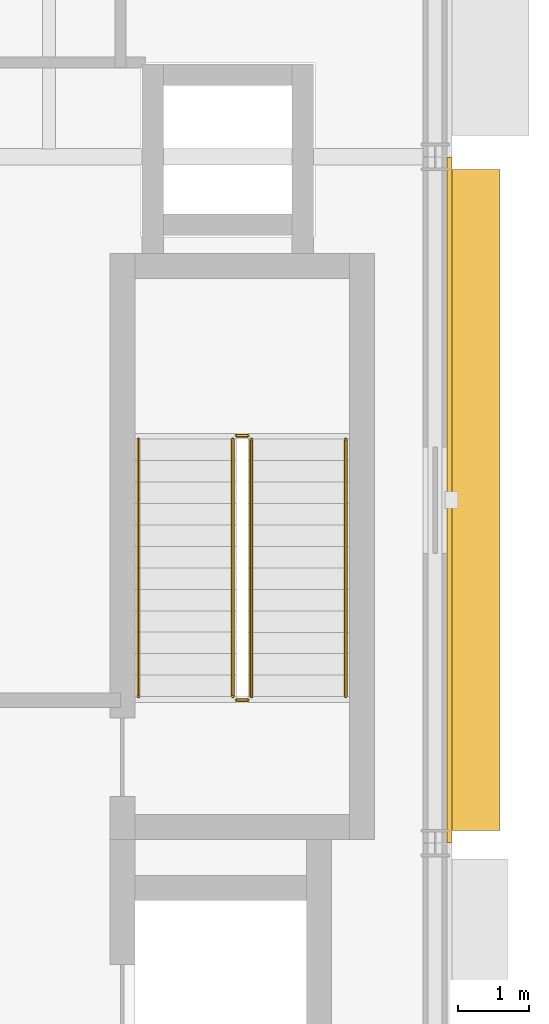
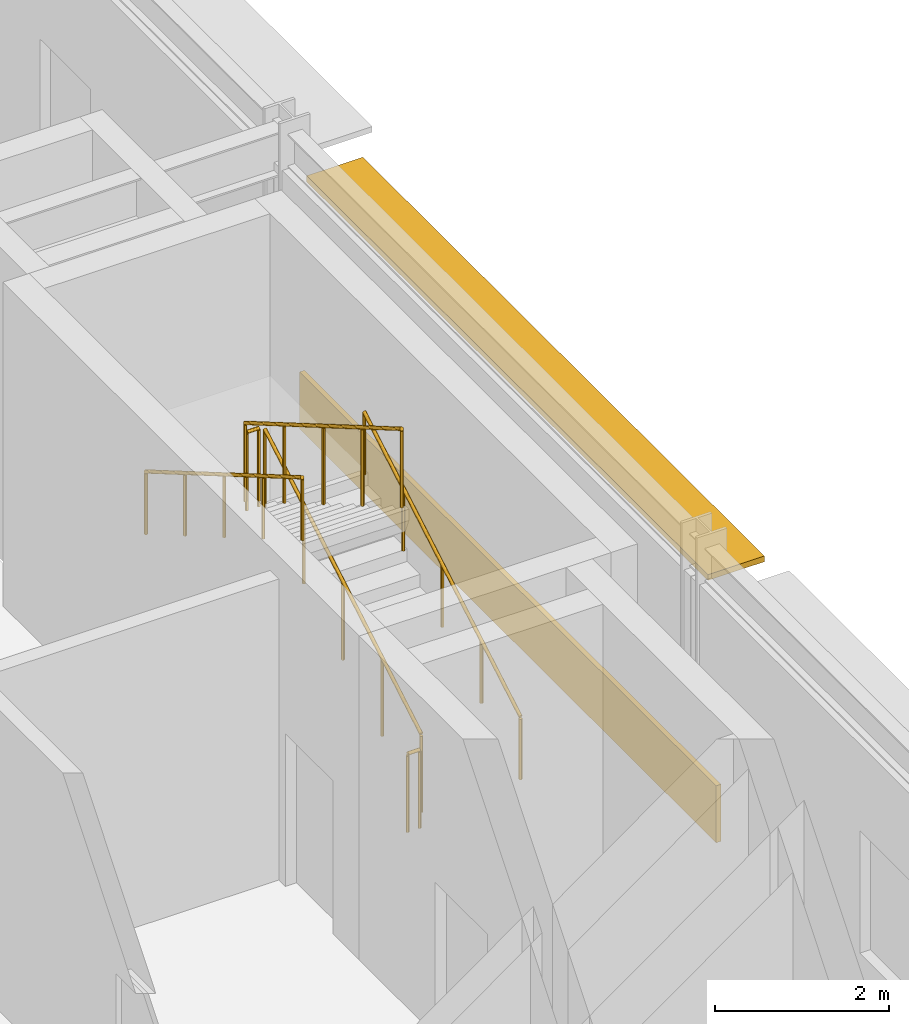
# One storey, part 153 of 157: 6 railings, 1 covering, 1 shading device.
"""IFC4 building model written with IfcOpenShell, lengths in metres."""

from ifc_helpers import new_model, si_unit, direction, frame, origin, origin_2d, place, context, subcontext, project, spatial, rectangle, circle, extrude, material, layer, layer_set, type_object, element, save


model = new_model("IFC4")

# Units and contexts
model_context = context("Model", 3, precision=1e-05, world=origin(), true_north=direction((0.0, 1.0)))
body_context = subcontext(model_context, "Body", "Model", "MODEL_VIEW")
ifc_project = project(units=[si_unit("LENGTHUNIT", "METRE"), si_unit("AREAUNIT", "SQUARE_METRE"), si_unit("VOLUMEUNIT", "CUBIC_METRE"), si_unit("PLANEANGLEUNIT", "RADIAN"), si_unit("MASSUNIT", "GRAM", prefix="KILO")], contexts=[model_context])

# Site, building, storey
site_placement = place(None, origin())
site = spatial("IfcSite", under=ifc_project, at=site_placement, CompositionType="ELEMENT")
building_placement = place(site_placement, origin())
building = spatial("IfcBuilding", under=site, at=building_placement, Name="Almandine Court Research Institute", CompositionType="ELEMENT")
storey_placement = place(building_placement, frame((0.0, 0.0, 5.25)))
storey = spatial("IfcBuildingStorey", under=building, at=storey_placement, Name="L01", CompositionType="ELEMENT", Elevation=5.25)

# Covering
ifc_material_1 = material(Name="Honed Andean Red-Buff Sandstone Cladding", Category="masonry")
ifc_layer_1 = layer(ifc_material_1, 0.06494140625)
ifc_layer_set_1 = layer_set([ifc_layer_1], Name="Honed Andean Red-Buff Sandstone Cladding")
covering_type = type_object("IfcCoveringType", Name="Cov-CLAD-SAND", PredefinedType="CLADDING", material=ifc_layer_set_1)
covering_placement = place(storey_placement, frame((174.200927734375, 30.0, 0.02001953125), z_axis=(0.0, 0.0, 1.0), x_axis=(0.0, -1.0, 0.0)))
element("IfcCovering", 1, at=covering_placement, inside=storey, type_object=covering_type, Name="L01 Facade Spandrel Cladding Band 132", PredefinedType="CLADDING", context=body_context, shape_type="SweptSolid", body=[
    extrude(rectangle(XDim=9.592041015625, YDim=0.06494140625, at=origin_2d()), origin(), (0.0, 0.0, 1.0), 0.800048828125),
])

# Railings
ifc_material_2 = material(Name="Powder-Coated Steel Stair and Atrium Balustrade", Category="steel")
railing_type_1 = type_object("IfcRailingType", Name="Rail-GUARD-INT", PredefinedType="BALUSTRADE", material=ifc_material_2)
railing_1_placement = place(storey_placement, frame((171.429931640625, 27.25, 0.175048828125)))
element("IfcRailing", 2, at=railing_1_placement, inside=storey, type_object=railing_type_1, Name="L01 ST-07 stair guard 1", PredefinedType="BALUSTRADE", context=body_context, shape_type="SweptSolid", body=[
    extrude(circle(Radius=0.02392578125, at=origin_2d()), frame((0.0, 0.0, 1.09619140625), z_axis=(0.0, 0.863800146258, 0.503834603144), x_axis=(-1.0, 0.0, 0.0)), (0.0, 0.0, 1.0), 4.167724609375),
    extrude(circle(Radius=0.02099609375, at=origin_2d()), origin(), (0.0, 0.0, 1.0), 1.072021484375),
    extrude(circle(Radius=0.02099609375, at=origin_2d()), frame((0.0, 0.89990234375, 0.52490234375)), (0.0, 0.0, 1.0), 1.072021484375),
    extrude(circle(Radius=0.02099609375, at=origin_2d()), frame((0.0, 1.800048828125, 1.0498046875)), (0.0, 0.0, 1.0), 1.072021484375),
    extrude(circle(Radius=0.02099609375, at=origin_2d()), frame((0.0, 2.7001953125, 1.574951171875)), (0.0, 0.0, 1.0), 1.072021484375),
    extrude(circle(Radius=0.02099609375, at=origin_2d()), frame((0.0, 3.60009765625, 2.099853515625)), (0.0, 0.0, 1.0), 1.072021484375),
])
railing_2_placement = place(storey_placement, frame((171.3798828125, 30.89990234375, 2.27490234375)))
element("IfcRailing", 3, at=railing_2_placement, inside=storey, type_object=railing_type_1, Name="L01 ST-07 stair guard 2", PredefinedType="BALUSTRADE", context=body_context, shape_type="SweptSolid", body=[
    extrude(circle(Radius=0.02392578125, at=origin_2d()), frame((0.0, 0.0, 1.09619140625), z_axis=(-1.0, 0.0, 0.0), x_axis=(0.0, -1.0, 0.0)), (0.0, 0.0, 1.0), 0.159912109375),
    extrude(circle(Radius=0.02099609375, at=origin_2d()), origin(), (0.0, 0.0, 1.0), 1.072021484375),
    extrude(circle(Radius=0.02099609375, at=origin_2d()), frame((-0.159912109375, 0.0, 0.0)), (0.0, 0.0, 1.0), 1.072021484375),
])
railing_3_placement = place(storey_placement, frame((171.169921875, 30.85009765625, 2.449951171875)))
element("IfcRailing", 4, at=railing_3_placement, inside=storey, type_object=railing_type_1, Name="L01 ST-07 stair guard 3", PredefinedType="BALUSTRADE", context=body_context, shape_type="SweptSolid", body=[
    extrude(circle(Radius=0.02392578125, at=origin_2d()), frame((0.0, 0.0, 1.09619140625), z_axis=(0.0, -0.863774651768, 0.503878309678), x_axis=(1.0, 0.0, 0.0)), (0.0, 0.0, 1.0), 4.16796875),
    extrude(circle(Radius=0.02099609375, at=origin_2d()), origin(), (0.0, 0.0, 1.0), 1.072021484375),
    extrude(circle(Radius=0.02099609375, at=origin_2d()), frame((0.0, -0.89990234375, 0.52490234375)), (0.0, 0.0, 1.0), 1.072021484375),
    extrude(circle(Radius=0.02099609375, at=origin_2d()), frame((0.0, -1.800048828125, 1.050048828125)), (0.0, 0.0, 1.0), 1.072021484375),
    extrude(circle(Radius=0.02099609375, at=origin_2d()), frame((0.0, -2.7001953125, 1.5751953125)), (0.0, 0.0, 1.0), 1.072021484375),
    extrude(circle(Radius=0.02099609375, at=origin_2d()), frame((0.0, -3.60009765625, 2.10009765625)), (0.0, 0.0, 1.0), 1.072021484375),
])
railing_4_placement = place(storey_placement, frame((171.3798828125, 27.199951171875, 0.0)))
element("IfcRailing", 5, at=railing_4_placement, inside=storey, type_object=railing_type_1, Name="L01 ST-07 stair guard 4", PredefinedType="BALUSTRADE", context=body_context, shape_type="SweptSolid", body=[
    extrude(circle(Radius=0.02392578125, at=origin_2d()), frame((0.0, 0.0, 1.09619140625), z_axis=(-1.0, 0.0, 0.0), x_axis=(0.0, -1.0, 0.0)), (0.0, 0.0, 1.0), 0.159912109375),
    extrude(circle(Radius=0.02099609375, at=origin_2d()), origin(), (0.0, 0.0, 1.0), 1.072021484375),
    extrude(circle(Radius=0.02099609375, at=origin_2d()), frame((-0.159912109375, 0.0, 0.0)), (0.0, 0.0, 1.0), 1.072021484375),
])
ifc_material_3 = material(Name="Brushed Stainless Steel Wall Handrail", Category="steel")
railing_type_2 = type_object("IfcRailingType", Name="Rail-HAND-INT", PredefinedType="HANDRAIL", material=ifc_material_3)
railing_5_placement = place(storey_placement, frame((172.75, 27.25, 0.175048828125)))
element("IfcRailing", 6, at=railing_5_placement, inside=storey, type_object=railing_type_2, Name="L01 ST-07 stair handrail 1", PredefinedType="HANDRAIL", context=body_context, shape_type="SweptSolid", body=[
    extrude(circle(Radius=0.02392578125, at=origin_2d()), frame((0.0, 0.0, 0.8759765625), z_axis=(0.0, 0.863800146258, 0.503834603144), x_axis=(-1.0, 0.0, 0.0)), (0.0, 0.0, 1.0), 4.167724609375),
    extrude(circle(Radius=0.02099609375, at=origin_2d()), origin(), (0.0, 0.0, 1.0), 0.851806640625),
    extrude(circle(Radius=0.02099609375, at=origin_2d()), frame((0.0, 0.89990234375, 0.52490234375)), (0.0, 0.0, 1.0), 0.851806640625),
    extrude(circle(Radius=0.02099609375, at=origin_2d()), frame((0.0, 1.800048828125, 1.0498046875)), (0.0, 0.0, 1.0), 0.851806640625),
    extrude(circle(Radius=0.02099609375, at=origin_2d()), frame((0.0, 2.7001953125, 1.574951171875)), (0.0, 0.0, 1.0), 0.851806640625),
    extrude(circle(Radius=0.02099609375, at=origin_2d()), frame((0.0, 3.60009765625, 2.099853515625)), (0.0, 0.0, 1.0), 0.851806640625),
])
railing_6_placement = place(storey_placement, frame((169.85009765625, 30.85009765625, 2.449951171875)))
element("IfcRailing", 7, at=railing_6_placement, inside=storey, type_object=railing_type_2, Name="L01 ST-07 stair handrail 2", PredefinedType="HANDRAIL", context=body_context, shape_type="SweptSolid", body=[
    extrude(circle(Radius=0.02392578125, at=origin_2d()), frame((0.0, 0.0, 0.8759765625), z_axis=(0.0, -0.863774651768, 0.503878309678), x_axis=(1.0, 0.0, 0.0)), (0.0, 0.0, 1.0), 4.16796875),
    extrude(circle(Radius=0.02099609375, at=origin_2d()), origin(), (0.0, 0.0, 1.0), 0.851806640625),
    extrude(circle(Radius=0.02099609375, at=origin_2d()), frame((0.0, -0.89990234375, 0.52490234375)), (0.0, 0.0, 1.0), 0.851806640625),
    extrude(circle(Radius=0.02099609375, at=origin_2d()), frame((0.0, -1.800048828125, 1.050048828125)), (0.0, 0.0, 1.0), 0.851806640625),
    extrude(circle(Radius=0.02099609375, at=origin_2d()), frame((0.0, -2.7001953125, 1.5751953125)), (0.0, 0.0, 1.0), 0.851806640625),
    extrude(circle(Radius=0.02099609375, at=origin_2d()), frame((0.0, -3.60009765625, 2.10009765625)), (0.0, 0.0, 1.0), 0.851806640625),
])

# Shading device
ifc_material_4 = material(Name="Precast GFRC Chhajja Sunshade and Acoustic Louvre", Category="concrete")
ifc_layer_2 = layer(ifc_material_4, 0.080078125)
ifc_layer_set_2 = layer_set([ifc_layer_2], Name="Precast GFRC Chhajja Sunshade and Acoustic Louvre")
shading_device_type = type_object("IfcShadingDeviceType", Name="Shd-SD-20", PredefinedType="AWNING", material=ifc_layer_set_2)
shading_device_placement = place(storey_placement, frame((174.534912109375, 30.0, 3.60400390625), z_axis=(0.0, 0.0, 1.0), x_axis=(0.0, -1.0, 0.0)))
element("IfcShadingDevice", 8, at=shading_device_placement, inside=storey, type_object=shading_device_type, Name="L01 Projecting Chhajja Sunshade 88", PredefinedType="AWNING", context=body_context, shape_type="SweptSolid", body=[
    extrude(rectangle(XDim=9.241943359375, YDim=0.75, at=origin_2d()), origin(), (0.0, 0.0, 1.0), 0.080078125),
])

save(model, "model.ifc")
